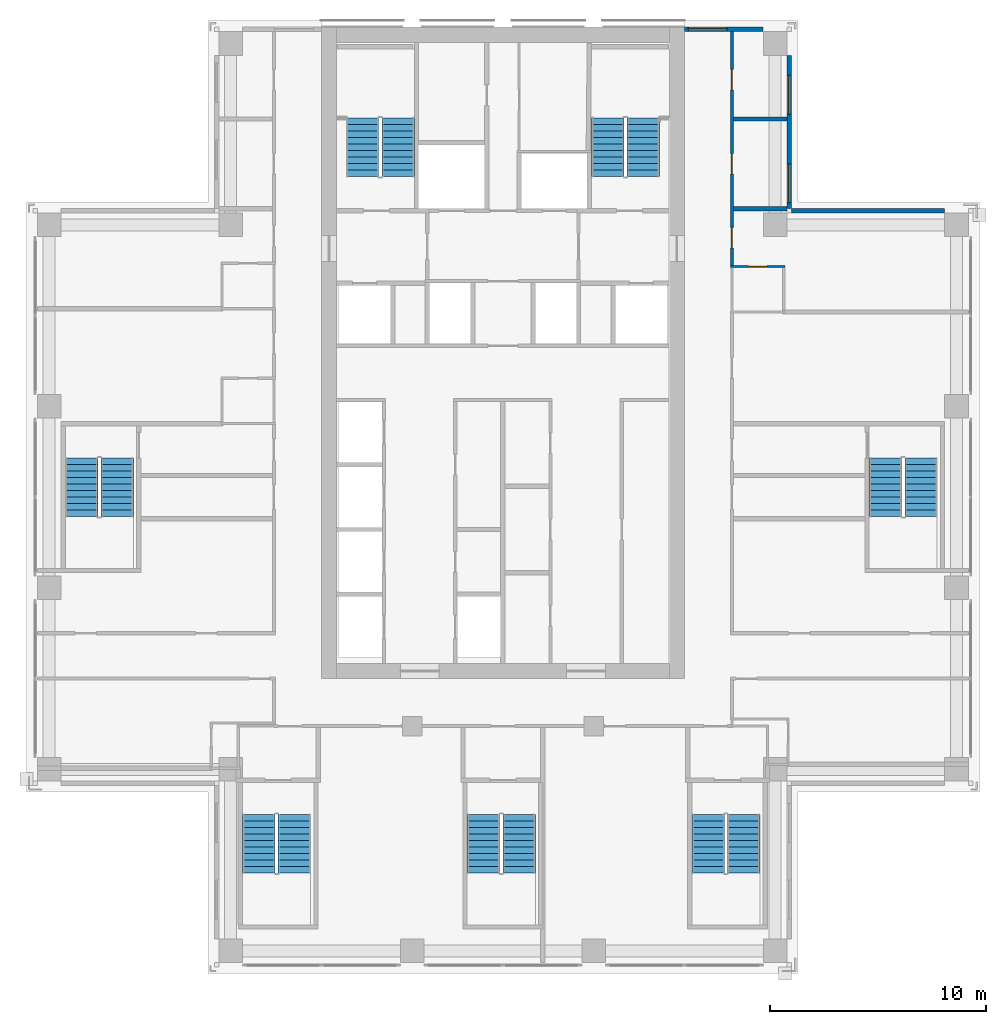
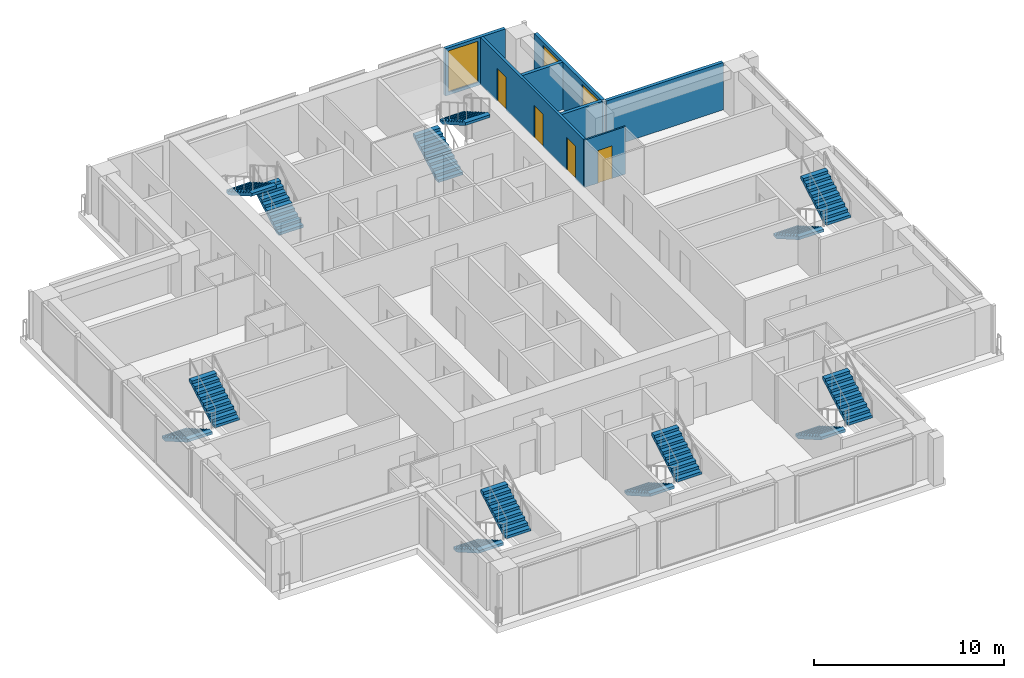
# One storey, part 13 of 16: 14 stair flights, 7 walls, 4 doors, 3 windows, 7 openings, 7 elements without a shape of their own.
"""IFC4 building model written with IfcOpenShell, lengths in metres."""

from ifc_helpers import new_model, si_unit, direction, frame, frame_2d, origin, place, context, subcontext, project, spatial, polyline, rectangle, outline, extrude, material, layer, layer_set, type_object, element, fill, aggregate, save


model = new_model("IFC4")

# Units and contexts
model_context = context("Model", 3, precision=1e-05, world=origin(), true_north=direction((0.0, 1.0)))
body_context = subcontext(model_context, "Body", "Model", "MODEL_VIEW")
ifc_project = project(units=[si_unit("LENGTHUNIT", "METRE"), si_unit("AREAUNIT", "SQUARE_METRE"), si_unit("VOLUMEUNIT", "CUBIC_METRE"), si_unit("PLANEANGLEUNIT", "RADIAN"), si_unit("MASSUNIT", "GRAM", prefix="KILO")], contexts=[model_context])

# Site, building, storey
site_placement = place(None, origin())
site = spatial("IfcSite", under=ifc_project, at=site_placement, CompositionType="ELEMENT")
building_placement = place(site_placement, origin())
building = spatial("IfcBuilding", under=site, at=building_placement, Name="Vermilion Ogive Tower", CompositionType="ELEMENT")
storey_placement = place(building_placement, frame((0.0, 0.0, 160.699951171875)))
storey = spatial("IfcBuildingStorey", under=building, at=storey_placement, Name="L41", CompositionType="ELEMENT", Elevation=160.699951171875)

# Wall, opening, door
ifc_material_1 = material(Name="Gypsum board partition on steel studs", Category="steel")
ifc_layer_1 = layer(ifc_material_1, 0.10009765625)
ifc_layer_set_1 = layer_set([ifc_layer_1], Name="Partition 100 bath")
wall_type_1 = type_object("IfcWallType", Name="Partition 100 bath", PredefinedType="PARTITIONING", material=ifc_layer_set_1)
wall_1_placement = place(storey_placement, frame((10.52490234375, 10.669921875, 0.0), z_axis=(0.0, 0.0, 1.0), x_axis=(1.0, 0.0, 0.0)))
wall_1 = element("IfcWall", 1, at=wall_1_placement, inside=storey, type_object=wall_type_1, Name="L41-W-W034", PredefinedType="PARTITIONING", context=body_context, shape_type="SweptSolid", body=[
    extrude(rectangle(XDim=2.525146484375, YDim=0.10009765625, at=frame_2d((1.2626953125, 0.0))), origin(), (0.0, 0.0, 1.0), 3.050048828125),
])
opening_1_placement = place(wall_1_placement, frame((0.85009765625, 0.0, 0.0)))
opening_1 = element("IfcOpeningElement", 2, at=opening_1_placement, cuts=wall_1, Name="Opening D3G4015", PredefinedType="OPENING", context=body_context, shape_type="SweptSolid", body=[
    extrude(rectangle(XDim=0.85009765625, YDim=2.10009765625, at=frame_2d((0.425048828125, 1.050048828125))), frame((0.0, 0.06005859375, 0.0), z_axis=(0.0, -1.0, 0.0), x_axis=(1.0, 0.0, 0.0)), (0.0, 0.0, 1.0), 0.1201171875),
])
ifc_material_2 = material(Name="Timber door leaf", Category="wood")
door_type_1 = type_object("IfcDoorType", Name="Bath door 850 x 2100 FD30", OperationType="SINGLE_SWING_LEFT", PredefinedType="DOOR", material=ifc_material_2)
door_1_placement = place(opening_1_placement, origin())
door_1 = element("IfcDoor", 3, at=door_1_placement, inside=storey, type_object=door_type_1, Name="L41-D-D015", OperationType="SINGLE_SWING_RIGHT", OverallHeight=2.10009765625, OverallWidth=0.85009765625, PredefinedType="DOOR", context=body_context, shape_type="SweptSolid", body=[
    extrude(rectangle(XDim=0.85009765625, YDim=2.10009765625, at=frame_2d((0.425048828125, 1.050048828125))), frame((0.0, 0.02490234375, 0.0), z_axis=(0.0, -1.0, 0.0), x_axis=(1.0, 0.0, 0.0)), (0.0, 0.0, 1.0), 0.050048828125),
])
fill(opening_1, door_1)

# Wall, openings, doors
ifc_material_3 = material(Name="Gypsum board partition on steel studs", Category="steel")
ifc_layer_2 = layer(ifc_material_3, 0.14990234375)
ifc_layer_set_2 = layer_set([ifc_layer_2], Name="Partition 150 corridor")
wall_type_2 = type_object("IfcWallType", Name="Partition 150 corridor", PredefinedType="PARTITIONING", material=ifc_layer_set_2)
wall_2_placement = place(storey_placement, frame((10.60009765625, 10.719970703125, 0.0), z_axis=(0.0, 0.0, 1.0), x_axis=(0.0, 1.0, 0.0)))
wall_2 = element("IfcWall", 4, at=wall_2_placement, inside=storey, type_object=wall_type_2, Name="L41-W-W066", PredefinedType="PARTITIONING", context=body_context, shape_type="SweptSolid", body=[
    extrude(rectangle(XDim=10.830078125, YDim=0.14990234375, at=frame_2d((5.4150390625, 0.0))), origin(), (0.0, 0.0, 1.0), 3.050048828125),
])
opening_2_placement = place(wall_2_placement, frame((0.81494140625, 0.0, 0.0)))
opening_2 = element("IfcOpeningElement", 5, at=opening_2_placement, cuts=wall_2, Name="Opening D3G4014", PredefinedType="OPENING", context=body_context, shape_type="SweptSolid", body=[
    extrude(rectangle(XDim=0.949951171875, YDim=2.10009765625, at=frame_2d((0.47509765625, 1.050048828125))), frame((0.0, 0.0849609375, 0.0), z_axis=(0.0, -1.0, 0.0), x_axis=(1.0, 0.0, 0.0)), (0.0, 0.0, 1.0), 0.169921875),
])
opening_3_placement = place(wall_2_placement, frame((4.22998046875, 0.0, 0.0)))
opening_3 = element("IfcOpeningElement", 6, at=opening_3_placement, cuts=wall_2, Name="Opening D3G4016", PredefinedType="OPENING", context=body_context, shape_type="SweptSolid", body=[
    extrude(rectangle(XDim=0.949951171875, YDim=2.10009765625, at=frame_2d((0.47509765625, 1.050048828125))), frame((0.0, 0.0849609375, 0.0), z_axis=(0.0, -1.0, 0.0), x_axis=(1.0, 0.0, 0.0)), (0.0, 0.0, 1.0), 0.169921875),
])
opening_4_placement = place(wall_2_placement, frame((8.130126953125, 0.0, 0.0)))
opening_4 = element("IfcOpeningElement", 7, at=opening_4_placement, cuts=wall_2, Name="Opening D3G4017", PredefinedType="OPENING", context=body_context, shape_type="SweptSolid", body=[
    extrude(rectangle(XDim=0.949951171875, YDim=2.10009765625, at=frame_2d((0.47509765625, 1.050048828125))), frame((0.0, 0.0849609375, 0.0), z_axis=(0.0, -1.0, 0.0), x_axis=(1.0, 0.0, 0.0)), (0.0, 0.0, 1.0), 0.169921875),
])
ifc_material_4 = material(Name="Timber door leaf", Category="wood")
door_type_2 = type_object("IfcDoorType", Name="Unit door 950 x 2100 FD30S", OperationType="SINGLE_SWING_LEFT", PredefinedType="DOOR", material=ifc_material_4)
door_2_placement = place(opening_2_placement, origin())
door_2 = element("IfcDoor", 8, at=door_2_placement, inside=storey, type_object=door_type_2, Name="L41-D-D014", OperationType="SINGLE_SWING_RIGHT", OverallHeight=2.10009765625, OverallWidth=0.949951171875, PredefinedType="DOOR", context=body_context, shape_type="SweptSolid", body=[
    extrude(rectangle(XDim=0.949951171875, YDim=2.10009765625, at=frame_2d((0.47509765625, 1.050048828125))), frame((0.0, 0.02490234375, 0.0), z_axis=(0.0, -1.0, 0.0), x_axis=(1.0, 0.0, 0.0)), (0.0, 0.0, 1.0), 0.050048828125),
])
fill(opening_2, door_2)
door_3_placement = place(opening_3_placement, origin())
door_3 = element("IfcDoor", 9, at=door_3_placement, inside=storey, type_object=door_type_2, Name="L41-D-D016", OperationType="SINGLE_SWING_RIGHT", OverallHeight=2.10009765625, OverallWidth=0.949951171875, PredefinedType="DOOR", context=body_context, shape_type="SweptSolid", body=[
    extrude(rectangle(XDim=0.949951171875, YDim=2.10009765625, at=frame_2d((0.47509765625, 1.050048828125))), frame((0.0, 0.02490234375, 0.0), z_axis=(0.0, -1.0, 0.0), x_axis=(1.0, 0.0, 0.0)), (0.0, 0.0, 1.0), 0.050048828125),
])
fill(opening_3, door_3)
door_4_placement = place(opening_4_placement, origin())
door_4 = element("IfcDoor", 10, at=door_4_placement, inside=storey, type_object=door_type_2, Name="L41-D-D017", OperationType="SINGLE_SWING_LEFT", OverallHeight=2.10009765625, OverallWidth=0.949951171875, PredefinedType="DOOR", context=body_context, shape_type="SweptSolid", body=[
    extrude(rectangle(XDim=0.949951171875, YDim=2.10009765625, at=frame_2d((0.47509765625, 1.050048828125))), frame((0.0, 0.02490234375, 0.0), z_axis=(0.0, -1.0, 0.0), x_axis=(1.0, 0.0, 0.0)), (0.0, 0.0, 1.0), 0.050048828125),
])
fill(opening_4, door_4)

# Walls
ifc_material_5 = material(Name="Gypsum board partition on steel studs", Category="steel")
ifc_layer_3 = layer(ifc_material_5, 0.199951171875)
ifc_layer_set_3 = layer_set([ifc_layer_3], Name="Partition 200 party")
wall_type_3 = type_object("IfcWallType", Name="Partition 200 party", PredefinedType="PARTITIONING", material=ifc_layer_set_3)
for number, where, z_axis, x_axis, name in (
    (11, (10.675048828125, 13.35009765625, 0.0), (0.0, 0.0, 1.0), (1.0, 0.0, 0.0), "L41-W-W037"),
    (12, (10.675048828125, 17.5, 0.0), (0.0, 0.0, 1.0), (1.0, 0.0, 0.0), "L41-W-W039"),
):
    element("IfcWall", number, at=place(storey_placement, frame(where, z_axis=z_axis, x_axis=x_axis)), inside=storey, type_object=wall_type_3, Name=name, PredefinedType="PARTITIONING", context=body_context, shape_type="SweptSolid", body=[
        extrude(rectangle(XDim=2.474853515625, YDim=0.199951171875, at=frame_2d((1.2373046875, 0.0))), origin(), (0.0, 0.0, 1.0), 3.050048828125),
    ])
ifc_material_6 = material(Name="Aluminium window wall framing", Category="aluminium")
ifc_layer_4 = layer(ifc_material_6, 0.199951171875)
ifc_layer_set_4 = layer_set([ifc_layer_4], Name="Window wall")
wall_type_4 = type_object("IfcWallType", Name="Window wall", PredefinedType="STANDARD", material=ifc_layer_set_4)
wall_3_placement = place(storey_placement, frame((20.449951171875, 13.25, 0.0), z_axis=(0.0, 0.0, 1.0), x_axis=(-1.0, 0.0, 0.0)))
element("IfcWall", 13, at=wall_3_placement, inside=storey, type_object=wall_type_4, Name="Window wall X31", PredefinedType="STANDARD", context=body_context, shape_type="SweptSolid", body=[
    extrude(rectangle(XDim=7.099853515625, YDim=0.199951171875, at=frame_2d((3.5498046875, 0.0))), origin(), (0.0, 0.0, 1.0), 3.050048828125),
])

# Wall, openings, windows
wall_4_placement = place(storey_placement, frame((13.25, 13.35009765625, 0.0), z_axis=(0.0, 0.0, 1.0), x_axis=(0.0, 1.0, 0.0)))
wall_4 = element("IfcWall", 14, at=wall_4_placement, inside=storey, type_object=wall_type_4, Name="Window wall X41", PredefinedType="STANDARD", context=body_context, shape_type="SweptSolid", body=[
    extrude(rectangle(XDim=7.099853515625, YDim=0.199951171875, at=frame_2d((3.5498046875, 0.0))), origin(), (0.0, 0.0, 1.0), 3.050048828125),
])
opening_5_placement = place(wall_4_placement, frame((0.27490234375, 0.0, 0.199951171875)))
opening_5 = element("IfcOpeningElement", 15, at=opening_5_placement, cuts=wall_4, Name="Opening W1-X403", PredefinedType="OPENING", context=body_context, shape_type="SweptSolid", body=[
    extrude(rectangle(XDim=1.800048828125, YDim=2.64990234375, at=frame_2d((0.89990234375, 1.324951171875))), frame((0.0, 0.10986328125, 0.0), z_axis=(0.0, -1.0, 0.0), x_axis=(1.0, 0.0, 0.0)), (0.0, 0.0, 1.0), 0.219970703125),
])
opening_6_placement = place(wall_4_placement, frame((4.3701171875, 0.0, 0.199951171875)))
opening_6 = element("IfcOpeningElement", 16, at=opening_6_placement, cuts=wall_4, Name="Opening W1-X404", PredefinedType="OPENING", context=body_context, shape_type="SweptSolid", body=[
    extrude(rectangle(XDim=1.800048828125, YDim=2.64990234375, at=frame_2d((0.89990234375, 1.324951171875))), frame((0.0, 0.10986328125, 0.0), z_axis=(0.0, -1.0, 0.0), x_axis=(1.0, 0.0, 0.0)), (0.0, 0.0, 1.0), 0.219970703125),
])
ifc_material_7 = material(Name="Aluminium framed double glazing", Category="aluminium")
window_type = type_object("IfcWindowType", Name="Guest window W1", PartitioningType="SINGLE_PANEL", PredefinedType="WINDOW", material=ifc_material_7)
window_1_placement = place(opening_5_placement, origin())
window_1 = element("IfcWindow", 17, at=window_1_placement, inside=storey, type_object=window_type, Name="Window X403", OverallHeight=2.64990234375, OverallWidth=1.800048828125, PartitioningType="SINGLE_PANEL", PredefinedType="WINDOW", context=body_context, shape_type="SweptSolid", body=[
    extrude(rectangle(XDim=1.800048828125, YDim=2.64990234375, at=frame_2d((0.89990234375, 1.324951171875))), frame((0.0, 0.030029296875, 0.0), z_axis=(0.0, -1.0, 0.0), x_axis=(1.0, 0.0, 0.0)), (0.0, 0.0, 1.0), 0.06005859375),
])
fill(opening_5, window_1)
window_2_placement = place(opening_6_placement, origin())
window_2 = element("IfcWindow", 18, at=window_2_placement, inside=storey, type_object=window_type, Name="Window X404", OverallHeight=2.64990234375, OverallWidth=1.800048828125, PartitioningType="SINGLE_PANEL", PredefinedType="WINDOW", context=body_context, shape_type="SweptSolid", body=[
    extrude(rectangle(XDim=1.800048828125, YDim=2.64990234375, at=frame_2d((0.89990234375, 1.324951171875))), frame((0.0, 0.030029296875, 0.0), z_axis=(0.0, -1.0, 0.0), x_axis=(1.0, 0.0, 0.0)), (0.0, 0.0, 1.0), 0.06005859375),
])
fill(opening_6, window_2)

# Wall, opening, window
wall_5_placement = place(storey_placement, frame((12.050048828125, 21.64990234375, 0.0), z_axis=(0.0, 0.0, 1.0), x_axis=(-1.0, 0.0, 0.0)))
wall_5 = element("IfcWall", 19, at=wall_5_placement, inside=storey, type_object=wall_type_4, Name="Window wall N11", PredefinedType="STANDARD", context=body_context, shape_type="SweptSolid", body=[
    extrude(rectangle(XDim=3.650146484375, YDim=0.199951171875, at=frame_2d((1.8251953125, 0.0))), origin(), (0.0, 0.0, 1.0), 3.050048828125),
])
opening_7_placement = place(wall_5_placement, frame((1.669921875, 0.0, 0.199951171875)))
opening_7 = element("IfcOpeningElement", 20, at=opening_7_placement, cuts=wall_5, Name="Opening W1-N102", PredefinedType="OPENING", context=body_context, shape_type="SweptSolid", body=[
    extrude(rectangle(XDim=1.800048828125, YDim=2.64990234375, at=frame_2d((0.89990234375, 1.324951171875))), frame((0.0, 0.10986328125, 0.0), z_axis=(0.0, -1.0, 0.0), x_axis=(1.0, 0.0, 0.0)), (0.0, 0.0, 1.0), 0.219970703125),
])
window_3_placement = place(opening_7_placement, origin())
window_3 = element("IfcWindow", 21, at=window_3_placement, inside=storey, type_object=window_type, Name="Window N102", OverallHeight=2.64990234375, OverallWidth=1.800048828125, PartitioningType="SINGLE_PANEL", PredefinedType="WINDOW", context=body_context, shape_type="SweptSolid", body=[
    extrude(rectangle(XDim=1.800048828125, YDim=2.64990234375, at=frame_2d((0.89990234375, 1.324951171875))), frame((0.0, 0.030029296875, 0.0), z_axis=(0.0, -1.0, 0.0), x_axis=(1.0, 0.0, 0.0)), (0.0, 0.0, 1.0), 0.06005859375),
])
fill(opening_7, window_3)

# Stair, stair flights
ifc_material_8 = material(Name="Concrete B40", Category="concrete")
stair_type = type_object("IfcStairType", Name="Exit stair 1500", PredefinedType="HALF_TURN_STAIR", material=ifc_material_8)
stair_1_placement = place(storey_placement, origin())
stair_1 = element("IfcStair", 22, at=stair_1_placement, inside=storey, type_object=stair_type, Name="L41 Exit Stair ST1", PredefinedType="HALF_TURN_STAIR")
ifc_material_9 = material(Name="Concrete B40", Category="concrete")
stair_flight_type = type_object("IfcStairFlightType", Name="Stair flight 1500", PredefinedType="STRAIGHT", material=ifc_material_9)
stair_flight_1_placement = place(storey_placement, frame((-4.85009765625, 14.85009765625, 0.0), z_axis=(0.0, 0.0, 1.0), x_axis=(0.0, 1.0, 0.0)))
stair_flight_1 = element("IfcStairFlight", 23, at=stair_flight_1_placement, type_object=stair_flight_type, Name="ST1 flight 1", NumberOfRisers=10, NumberOfTreads=9, PredefinedType="STRAIGHT", RiserHeight=0.1725, TreadLength=0.3, context=body_context, shape_type="SweptSolid", body=[
    extrude(outline(polyline([(0.0, 0.0), (0.0, 0.172607421875), (0.300048828125, 0.172607421875), (0.300048828125, 0.344970703125), (0.60009765625, 0.344970703125), (0.60009765625, 0.517578125), (0.89990234375, 0.517578125), (0.89990234375, 0.68994140625), (1.199951171875, 0.68994140625), (1.199951171875, 0.862548828125), (1.5, 0.862548828125), (1.5, 1.034912109375), (1.800048828125, 1.034912109375), (1.800048828125, 1.20751953125), (2.10009765625, 1.20751953125), (2.10009765625, 1.3798828125), (2.39990234375, 1.3798828125), (2.39990234375, 1.552490234375), (2.699951171875, 1.552490234375), (2.699951171875, 1.72509765625), (2.699951171875, 1.379638671875), (0.30078125, 0.0), (0.0, 0.0)])), frame((0.0, 0.75, 0.0), z_axis=(0.0, -1.0, 0.0), x_axis=(1.0, 0.0, 0.0)), (0.0, 0.0, 1.0), 1.5),
])
stair_flight_2_placement = place(storey_placement, frame((-6.5, 17.550048828125, 1.72509765625), z_axis=(0.0, 0.0, 1.0), x_axis=(0.0, -1.0, 0.0)))
stair_flight_2 = element("IfcStairFlight", 24, at=stair_flight_2_placement, type_object=stair_flight_type, Name="ST1 flight 2", NumberOfRisers=10, NumberOfTreads=9, PredefinedType="STRAIGHT", RiserHeight=0.1725, TreadLength=0.3, context=body_context, shape_type="SweptSolid", body=[
    extrude(outline(polyline([(0.0, 0.0), (0.0, 0.172607421875), (0.300048828125, 0.172607421875), (0.300048828125, 0.344970703125), (0.60009765625, 0.344970703125), (0.60009765625, 0.517578125), (0.89990234375, 0.517578125), (0.89990234375, 0.68994140625), (1.199951171875, 0.68994140625), (1.199951171875, 0.862548828125), (1.5, 0.862548828125), (1.5, 1.034912109375), (1.800048828125, 1.034912109375), (1.800048828125, 1.20751953125), (2.10009765625, 1.20751953125), (2.10009765625, 1.3798828125), (2.39990234375, 1.3798828125), (2.39990234375, 1.552490234375), (2.699951171875, 1.552490234375), (2.699951171875, 1.72509765625), (2.699951171875, 1.379638671875), (0.30078125, 0.0), (0.0, 0.0)])), frame((0.0, 0.75, 0.0), z_axis=(0.0, -1.0, 0.0), x_axis=(1.0, 0.0, 0.0)), (0.0, 0.0, 1.0), 1.5),
])
aggregate(stair_1, [stair_flight_1, stair_flight_2])

stair_2_placement = place(storey_placement, origin())
stair_2 = element("IfcStair", 25, at=stair_2_placement, inside=storey, type_object=stair_type, Name="L41 Exit Stair ST2", PredefinedType="HALF_TURN_STAIR")
stair_flight_3_placement = place(storey_placement, frame((4.85009765625, 14.85009765625, 0.0), z_axis=(0.0, 0.0, 1.0), x_axis=(0.0, 1.0, 0.0)))
stair_flight_3 = element("IfcStairFlight", 26, at=stair_flight_3_placement, type_object=stair_flight_type, Name="ST2 flight 1", NumberOfRisers=10, NumberOfTreads=9, PredefinedType="STRAIGHT", RiserHeight=0.1725, TreadLength=0.3, context=body_context, shape_type="SweptSolid", body=[
    extrude(outline(polyline([(0.0, 0.0), (0.0, 0.172607421875), (0.300048828125, 0.172607421875), (0.300048828125, 0.344970703125), (0.60009765625, 0.344970703125), (0.60009765625, 0.517578125), (0.89990234375, 0.517578125), (0.89990234375, 0.68994140625), (1.199951171875, 0.68994140625), (1.199951171875, 0.862548828125), (1.5, 0.862548828125), (1.5, 1.034912109375), (1.800048828125, 1.034912109375), (1.800048828125, 1.20751953125), (2.10009765625, 1.20751953125), (2.10009765625, 1.3798828125), (2.39990234375, 1.3798828125), (2.39990234375, 1.552490234375), (2.699951171875, 1.552490234375), (2.699951171875, 1.72509765625), (2.699951171875, 1.379638671875), (0.30078125, 0.0), (0.0, 0.0)])), frame((0.0, 0.75, 0.0), z_axis=(0.0, -1.0, 0.0), x_axis=(1.0, 0.0, 0.0)), (0.0, 0.0, 1.0), 1.5),
])
stair_flight_4_placement = place(storey_placement, frame((6.5, 17.550048828125, 1.72509765625), z_axis=(0.0, 0.0, 1.0), x_axis=(0.0, -1.0, 0.0)))
stair_flight_4 = element("IfcStairFlight", 27, at=stair_flight_4_placement, type_object=stair_flight_type, Name="ST2 flight 2", NumberOfRisers=10, NumberOfTreads=9, PredefinedType="STRAIGHT", RiserHeight=0.1725, TreadLength=0.3, context=body_context, shape_type="SweptSolid", body=[
    extrude(outline(polyline([(0.0, 0.0), (0.0, 0.172607421875), (0.300048828125, 0.172607421875), (0.300048828125, 0.344970703125), (0.60009765625, 0.344970703125), (0.60009765625, 0.517578125), (0.89990234375, 0.517578125), (0.89990234375, 0.68994140625), (1.199951171875, 0.68994140625), (1.199951171875, 0.862548828125), (1.5, 0.862548828125), (1.5, 1.034912109375), (1.800048828125, 1.034912109375), (1.800048828125, 1.20751953125), (2.10009765625, 1.20751953125), (2.10009765625, 1.3798828125), (2.39990234375, 1.3798828125), (2.39990234375, 1.552490234375), (2.699951171875, 1.552490234375), (2.699951171875, 1.72509765625), (2.699951171875, 1.379638671875), (0.30078125, 0.0), (0.0, 0.0)])), frame((0.0, 0.75, 0.0), z_axis=(0.0, -1.0, 0.0), x_axis=(1.0, 0.0, 0.0)), (0.0, 0.0, 1.0), 1.5),
])
aggregate(stair_2, [stair_flight_3, stair_flight_4])

stair_3_placement = place(storey_placement, origin())
stair_3 = element("IfcStair", 28, at=stair_3_placement, inside=storey, type_object=stair_type, Name="L41 Exit Stair ST3", PredefinedType="HALF_TURN_STAIR")
stair_flight_5_placement = place(storey_placement, frame((-11.300048828125, -14.699951171875, 0.0), z_axis=(0.0, 0.0, 1.0), x_axis=(0.0, -1.0, 0.0)))
stair_flight_5 = element("IfcStairFlight", 29, at=stair_flight_5_placement, type_object=stair_flight_type, Name="ST3 flight 1", NumberOfRisers=10, NumberOfTreads=9, PredefinedType="STRAIGHT", RiserHeight=0.1725, TreadLength=0.3, context=body_context, shape_type="SweptSolid", body=[
    extrude(outline(polyline([(0.0, 0.0), (0.0, 0.172607421875), (0.300048828125, 0.172607421875), (0.300048828125, 0.344970703125), (0.60009765625, 0.344970703125), (0.60009765625, 0.517578125), (0.89990234375, 0.517578125), (0.89990234375, 0.68994140625), (1.199951171875, 0.68994140625), (1.199951171875, 0.862548828125), (1.5, 0.862548828125), (1.5, 1.034912109375), (1.800048828125, 1.034912109375), (1.800048828125, 1.20751953125), (2.10009765625, 1.20751953125), (2.10009765625, 1.3798828125), (2.39990234375, 1.3798828125), (2.39990234375, 1.552490234375), (2.699951171875, 1.552490234375), (2.699951171875, 1.72509765625), (2.699951171875, 1.379638671875), (0.30078125, 0.0), (0.0, 0.0)])), frame((0.0, 0.75, 0.0), z_axis=(0.0, -1.0, 0.0), x_axis=(1.0, 0.0, 0.0)), (0.0, 0.0, 1.0), 1.5),
])
stair_flight_6_placement = place(storey_placement, frame((-9.64990234375, -17.39990234375, 1.72509765625), z_axis=(0.0, 0.0, 1.0), x_axis=(0.0, 1.0, 0.0)))
stair_flight_6 = element("IfcStairFlight", 30, at=stair_flight_6_placement, type_object=stair_flight_type, Name="ST3 flight 2", NumberOfRisers=10, NumberOfTreads=9, PredefinedType="STRAIGHT", RiserHeight=0.1725, TreadLength=0.3, context=body_context, shape_type="SweptSolid", body=[
    extrude(outline(polyline([(0.0, 0.0), (0.0, 0.172607421875), (0.300048828125, 0.172607421875), (0.300048828125, 0.344970703125), (0.60009765625, 0.344970703125), (0.60009765625, 0.517578125), (0.89990234375, 0.517578125), (0.89990234375, 0.68994140625), (1.199951171875, 0.68994140625), (1.199951171875, 0.862548828125), (1.5, 0.862548828125), (1.5, 1.034912109375), (1.800048828125, 1.034912109375), (1.800048828125, 1.20751953125), (2.10009765625, 1.20751953125), (2.10009765625, 1.3798828125), (2.39990234375, 1.3798828125), (2.39990234375, 1.552490234375), (2.699951171875, 1.552490234375), (2.699951171875, 1.72509765625), (2.699951171875, 1.379638671875), (0.30078125, 0.0), (0.0, 0.0)])), frame((0.0, 0.75, 0.0), z_axis=(0.0, -1.0, 0.0), x_axis=(1.0, 0.0, 0.0)), (0.0, 0.0, 1.0), 1.5),
])
aggregate(stair_3, [stair_flight_5, stair_flight_6])

stair_4_placement = place(storey_placement, origin())
stair_4 = element("IfcStair", 31, at=stair_4_placement, inside=storey, type_object=stair_type, Name="L41 Exit Stair ST4", PredefinedType="HALF_TURN_STAIR")
stair_flight_7_placement = place(storey_placement, frame((-0.89990234375, -14.699951171875, 0.0), z_axis=(0.0, 0.0, 1.0), x_axis=(0.0, -1.0, 0.0)))
stair_flight_7 = element("IfcStairFlight", 32, at=stair_flight_7_placement, type_object=stair_flight_type, Name="ST4 flight 1", NumberOfRisers=10, NumberOfTreads=9, PredefinedType="STRAIGHT", RiserHeight=0.1725, TreadLength=0.3, context=body_context, shape_type="SweptSolid", body=[
    extrude(outline(polyline([(0.0, 0.0), (0.0, 0.172607421875), (0.300048828125, 0.172607421875), (0.300048828125, 0.344970703125), (0.60009765625, 0.344970703125), (0.60009765625, 0.517578125), (0.89990234375, 0.517578125), (0.89990234375, 0.68994140625), (1.199951171875, 0.68994140625), (1.199951171875, 0.862548828125), (1.5, 0.862548828125), (1.5, 1.034912109375), (1.800048828125, 1.034912109375), (1.800048828125, 1.20751953125), (2.10009765625, 1.20751953125), (2.10009765625, 1.3798828125), (2.39990234375, 1.3798828125), (2.39990234375, 1.552490234375), (2.699951171875, 1.552490234375), (2.699951171875, 1.72509765625), (2.699951171875, 1.379638671875), (0.30078125, 0.0), (0.0, 0.0)])), frame((0.0, 0.75, 0.0), z_axis=(0.0, -1.0, 0.0), x_axis=(1.0, 0.0, 0.0)), (0.0, 0.0, 1.0), 1.5),
])
stair_flight_8_placement = place(storey_placement, frame((0.75, -17.39990234375, 1.72509765625), z_axis=(0.0, 0.0, 1.0), x_axis=(0.0, 1.0, 0.0)))
stair_flight_8 = element("IfcStairFlight", 33, at=stair_flight_8_placement, type_object=stair_flight_type, Name="ST4 flight 2", NumberOfRisers=10, NumberOfTreads=9, PredefinedType="STRAIGHT", RiserHeight=0.1725, TreadLength=0.3, context=body_context, shape_type="SweptSolid", body=[
    extrude(outline(polyline([(0.0, 0.0), (0.0, 0.172607421875), (0.300048828125, 0.172607421875), (0.300048828125, 0.344970703125), (0.60009765625, 0.344970703125), (0.60009765625, 0.517578125), (0.89990234375, 0.517578125), (0.89990234375, 0.68994140625), (1.199951171875, 0.68994140625), (1.199951171875, 0.862548828125), (1.5, 0.862548828125), (1.5, 1.034912109375), (1.800048828125, 1.034912109375), (1.800048828125, 1.20751953125), (2.10009765625, 1.20751953125), (2.10009765625, 1.3798828125), (2.39990234375, 1.3798828125), (2.39990234375, 1.552490234375), (2.699951171875, 1.552490234375), (2.699951171875, 1.72509765625), (2.699951171875, 1.379638671875), (0.30078125, 0.0), (0.0, 0.0)])), frame((0.0, 0.75, 0.0), z_axis=(0.0, -1.0, 0.0), x_axis=(1.0, 0.0, 0.0)), (0.0, 0.0, 1.0), 1.5),
])
aggregate(stair_4, [stair_flight_7, stair_flight_8])

stair_5_placement = place(storey_placement, origin())
stair_5 = element("IfcStair", 34, at=stair_5_placement, inside=storey, type_object=stair_type, Name="L41 Exit Stair ST5", PredefinedType="HALF_TURN_STAIR")
stair_flight_9_placement = place(storey_placement, frame((9.5, -14.699951171875, 0.0), z_axis=(0.0, 0.0, 1.0), x_axis=(0.0, -1.0, 0.0)))
stair_flight_9 = element("IfcStairFlight", 35, at=stair_flight_9_placement, type_object=stair_flight_type, Name="ST5 flight 1", NumberOfRisers=10, NumberOfTreads=9, PredefinedType="STRAIGHT", RiserHeight=0.1725, TreadLength=0.3, context=body_context, shape_type="SweptSolid", body=[
    extrude(outline(polyline([(0.0, 0.0), (0.0, 0.172607421875), (0.300048828125, 0.172607421875), (0.300048828125, 0.344970703125), (0.60009765625, 0.344970703125), (0.60009765625, 0.517578125), (0.89990234375, 0.517578125), (0.89990234375, 0.68994140625), (1.199951171875, 0.68994140625), (1.199951171875, 0.862548828125), (1.5, 0.862548828125), (1.5, 1.034912109375), (1.800048828125, 1.034912109375), (1.800048828125, 1.20751953125), (2.10009765625, 1.20751953125), (2.10009765625, 1.3798828125), (2.39990234375, 1.3798828125), (2.39990234375, 1.552490234375), (2.699951171875, 1.552490234375), (2.699951171875, 1.72509765625), (2.699951171875, 1.379638671875), (0.30078125, 0.0), (0.0, 0.0)])), frame((0.0, 0.75, 0.0), z_axis=(0.0, -1.0, 0.0), x_axis=(1.0, 0.0, 0.0)), (0.0, 0.0, 1.0), 1.5),
])
stair_flight_10_placement = place(storey_placement, frame((11.14990234375, -17.39990234375, 1.72509765625), z_axis=(0.0, 0.0, 1.0), x_axis=(0.0, 1.0, 0.0)))
stair_flight_10 = element("IfcStairFlight", 36, at=stair_flight_10_placement, type_object=stair_flight_type, Name="ST5 flight 2", NumberOfRisers=10, NumberOfTreads=9, PredefinedType="STRAIGHT", RiserHeight=0.1725, TreadLength=0.3, context=body_context, shape_type="SweptSolid", body=[
    extrude(outline(polyline([(0.0, 0.0), (0.0, 0.172607421875), (0.300048828125, 0.172607421875), (0.300048828125, 0.344970703125), (0.60009765625, 0.344970703125), (0.60009765625, 0.517578125), (0.89990234375, 0.517578125), (0.89990234375, 0.68994140625), (1.199951171875, 0.68994140625), (1.199951171875, 0.862548828125), (1.5, 0.862548828125), (1.5, 1.034912109375), (1.800048828125, 1.034912109375), (1.800048828125, 1.20751953125), (2.10009765625, 1.20751953125), (2.10009765625, 1.3798828125), (2.39990234375, 1.3798828125), (2.39990234375, 1.552490234375), (2.699951171875, 1.552490234375), (2.699951171875, 1.72509765625), (2.699951171875, 1.379638671875), (0.30078125, 0.0), (0.0, 0.0)])), frame((0.0, 0.75, 0.0), z_axis=(0.0, -1.0, 0.0), x_axis=(1.0, 0.0, 0.0)), (0.0, 0.0, 1.0), 1.5),
])
aggregate(stair_5, [stair_flight_9, stair_flight_10])

stair_6_placement = place(storey_placement, origin())
stair_6 = element("IfcStair", 37, at=stair_6_placement, inside=storey, type_object=stair_type, Name="L41 Exit Stair ST8", PredefinedType="HALF_TURN_STAIR")
stair_flight_11_placement = place(storey_placement, frame((17.699951171875, 1.800048828125, 0.0), z_axis=(0.0, 0.0, 1.0), x_axis=(0.0, -1.0, 0.0)))
stair_flight_11 = element("IfcStairFlight", 38, at=stair_flight_11_placement, type_object=stair_flight_type, Name="ST8 flight 1", NumberOfRisers=10, NumberOfTreads=9, PredefinedType="STRAIGHT", RiserHeight=0.1725, TreadLength=0.3, context=body_context, shape_type="SweptSolid", body=[
    extrude(outline(polyline([(0.0, 0.0), (0.0, 0.172607421875), (0.300048828125, 0.172607421875), (0.300048828125, 0.344970703125), (0.60009765625, 0.344970703125), (0.60009765625, 0.517578125), (0.89990234375, 0.517578125), (0.89990234375, 0.68994140625), (1.199951171875, 0.68994140625), (1.199951171875, 0.862548828125), (1.5, 0.862548828125), (1.5, 1.034912109375), (1.800048828125, 1.034912109375), (1.800048828125, 1.20751953125), (2.10009765625, 1.20751953125), (2.10009765625, 1.3798828125), (2.39990234375, 1.3798828125), (2.39990234375, 1.552490234375), (2.699951171875, 1.552490234375), (2.699951171875, 1.72509765625), (2.699951171875, 1.379638671875), (0.30078125, 0.0), (0.0, 0.0)])), frame((0.0, 0.75, 0.0), z_axis=(0.0, -1.0, 0.0), x_axis=(1.0, 0.0, 0.0)), (0.0, 0.0, 1.0), 1.5),
])
stair_flight_12_placement = place(storey_placement, frame((19.35009765625, -0.89990234375, 1.72509765625), z_axis=(0.0, 0.0, 1.0), x_axis=(0.0, 1.0, 0.0)))
stair_flight_12 = element("IfcStairFlight", 39, at=stair_flight_12_placement, type_object=stair_flight_type, Name="ST8 flight 2", NumberOfRisers=10, NumberOfTreads=9, PredefinedType="STRAIGHT", RiserHeight=0.1725, TreadLength=0.3, context=body_context, shape_type="SweptSolid", body=[
    extrude(outline(polyline([(0.0, 0.0), (0.0, 0.172607421875), (0.300048828125, 0.172607421875), (0.300048828125, 0.344970703125), (0.60009765625, 0.344970703125), (0.60009765625, 0.517578125), (0.89990234375, 0.517578125), (0.89990234375, 0.68994140625), (1.199951171875, 0.68994140625), (1.199951171875, 0.862548828125), (1.5, 0.862548828125), (1.5, 1.034912109375), (1.800048828125, 1.034912109375), (1.800048828125, 1.20751953125), (2.10009765625, 1.20751953125), (2.10009765625, 1.3798828125), (2.39990234375, 1.3798828125), (2.39990234375, 1.552490234375), (2.699951171875, 1.552490234375), (2.699951171875, 1.72509765625), (2.699951171875, 1.379638671875), (0.30078125, 0.0), (0.0, 0.0)])), frame((0.0, 0.75, 0.0), z_axis=(0.0, -1.0, 0.0), x_axis=(1.0, 0.0, 0.0)), (0.0, 0.0, 1.0), 1.5),
])
aggregate(stair_6, [stair_flight_11, stair_flight_12])

stair_7_placement = place(storey_placement, origin())
stair_7 = element("IfcStair", 40, at=stair_7_placement, inside=storey, type_object=stair_type, Name="L41 Exit Stair ST9", PredefinedType="HALF_TURN_STAIR")
stair_flight_13_placement = place(storey_placement, frame((-19.5, 1.800048828125, 0.0), z_axis=(0.0, 0.0, 1.0), x_axis=(0.0, -1.0, 0.0)))
stair_flight_13 = element("IfcStairFlight", 41, at=stair_flight_13_placement, type_object=stair_flight_type, Name="ST9 flight 1", NumberOfRisers=10, NumberOfTreads=9, PredefinedType="STRAIGHT", RiserHeight=0.1725, TreadLength=0.3, context=body_context, shape_type="SweptSolid", body=[
    extrude(outline(polyline([(0.0, 0.0), (0.0, 0.172607421875), (0.300048828125, 0.172607421875), (0.300048828125, 0.344970703125), (0.60009765625, 0.344970703125), (0.60009765625, 0.517578125), (0.89990234375, 0.517578125), (0.89990234375, 0.68994140625), (1.199951171875, 0.68994140625), (1.199951171875, 0.862548828125), (1.5, 0.862548828125), (1.5, 1.034912109375), (1.800048828125, 1.034912109375), (1.800048828125, 1.20751953125), (2.10009765625, 1.20751953125), (2.10009765625, 1.3798828125), (2.39990234375, 1.3798828125), (2.39990234375, 1.552490234375), (2.699951171875, 1.552490234375), (2.699951171875, 1.72509765625), (2.699951171875, 1.379638671875), (0.30078125, 0.0), (0.0, 0.0)])), frame((0.0, 0.75, 0.0), z_axis=(0.0, -1.0, 0.0), x_axis=(1.0, 0.0, 0.0)), (0.0, 0.0, 1.0), 1.5),
])
stair_flight_14_placement = place(storey_placement, frame((-17.85009765625, -0.89990234375, 1.72509765625), z_axis=(0.0, 0.0, 1.0), x_axis=(0.0, 1.0, 0.0)))
stair_flight_14 = element("IfcStairFlight", 42, at=stair_flight_14_placement, type_object=stair_flight_type, Name="ST9 flight 2", NumberOfRisers=10, NumberOfTreads=9, PredefinedType="STRAIGHT", RiserHeight=0.1725, TreadLength=0.3, context=body_context, shape_type="SweptSolid", body=[
    extrude(outline(polyline([(0.0, 0.0), (0.0, 0.172607421875), (0.300048828125, 0.172607421875), (0.300048828125, 0.344970703125), (0.60009765625, 0.344970703125), (0.60009765625, 0.517578125), (0.89990234375, 0.517578125), (0.89990234375, 0.68994140625), (1.199951171875, 0.68994140625), (1.199951171875, 0.862548828125), (1.5, 0.862548828125), (1.5, 1.034912109375), (1.800048828125, 1.034912109375), (1.800048828125, 1.20751953125), (2.10009765625, 1.20751953125), (2.10009765625, 1.3798828125), (2.39990234375, 1.3798828125), (2.39990234375, 1.552490234375), (2.699951171875, 1.552490234375), (2.699951171875, 1.72509765625), (2.699951171875, 1.379638671875), (0.30078125, 0.0), (0.0, 0.0)])), frame((0.0, 0.75, 0.0), z_axis=(0.0, -1.0, 0.0), x_axis=(1.0, 0.0, 0.0)), (0.0, 0.0, 1.0), 1.5),
])
aggregate(stair_7, [stair_flight_13, stair_flight_14])

save(model, "model.ifc")
